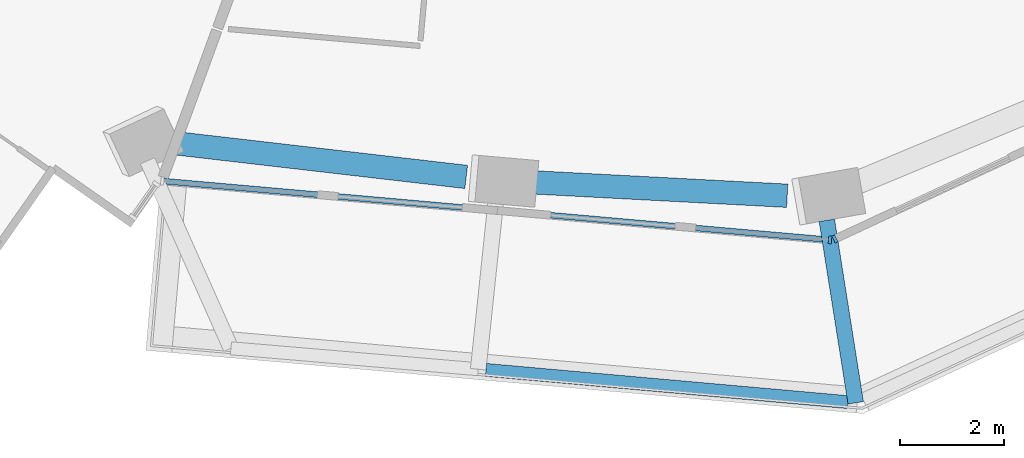
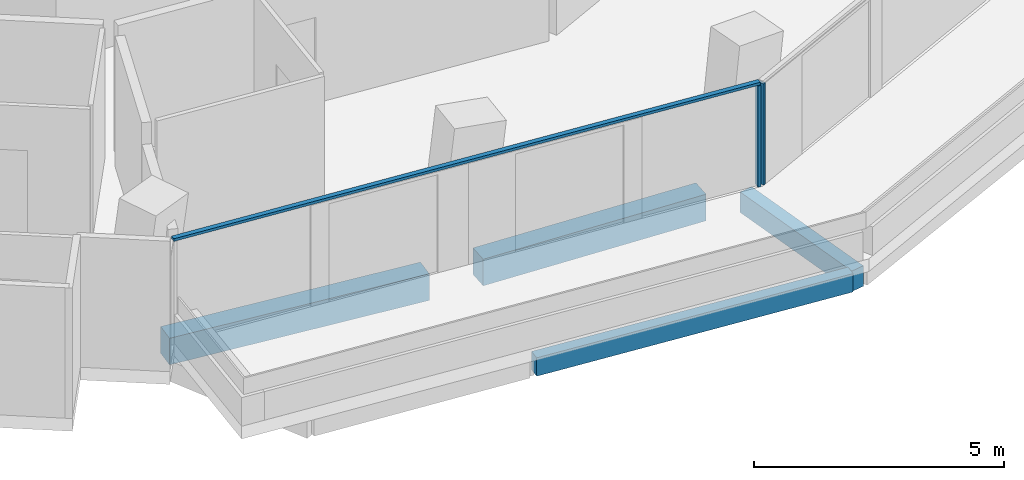
# One storey, part 3 of 23: 4 beams, 3 members, 2 elements without a shape of their own.
"""IFC4 building model written with IfcOpenShell, lengths in metres."""

from ifc_helpers import new_model, si_unit, direction, frame, origin, origin_2d, place, context, subcontext, project, spatial, rectangle, extrude, material, layer, layer_set, material_profile, profile_set, type_object, element, aggregate, save


model = new_model("IFC4")

# Units and contexts
model_context = context("Model", 3, precision=1e-05, world=origin(), true_north=direction((0.0, 1.0)))
body_context = subcontext(model_context, "Body", "Model", "MODEL_VIEW")
ifc_project = project(units=[si_unit("LENGTHUNIT", "METRE"), si_unit("AREAUNIT", "SQUARE_METRE"), si_unit("VOLUMEUNIT", "CUBIC_METRE"), si_unit("PLANEANGLEUNIT", "RADIAN"), si_unit("MASSUNIT", "GRAM", prefix="KILO")], contexts=[model_context])

# Site, building, storey
site_placement = place(None, origin())
site = spatial("IfcSite", under=ifc_project, at=site_placement, CompositionType="ELEMENT")
building_placement = place(site_placement, origin())
building = spatial("IfcBuilding", under=site, at=building_placement, Name="Verdalira Terraces Hotel", CompositionType="ELEMENT")
storey_placement = place(building_placement, frame((0.0, 0.0, 136.5)))
storey = spatial("IfcBuildingStorey", under=building, at=storey_placement, Name="L32", CompositionType="ELEMENT", Elevation=136.5)

# Beams
ifc_material_1 = material(Name="Concrete C40", Category="concrete")
ifc_material_profile_1 = material_profile(ifc_material_1, rectangle(XDim=0.300049, YDim=0.5, at=origin_2d()), Name="RC 300X500")
ifc_profile_set_1 = profile_set([ifc_material_profile_1], Name="Concrete C40")
beam_type_1 = type_object("IfcBeamType", Name="Balcony cantilever beam RC 300X500 C40", PredefinedType="BEAM", material=ifc_profile_set_1)
beam_1_placement = place(storey_placement, frame((4.219482, -24.27832, -0.560059), z_axis=(0.156367923, -0.987698878, 0.0), x_axis=(0.987698878, 0.156367923, 0.0)))
element("IfcBeam", 1, at=beam_1_placement, inside=storey, type_object=beam_type_1, Name="Balcony cantilever beam R25-3", PredefinedType="BEAM", context=body_context, shape_type="SweptSolid", body=[
    extrude(rectangle(XDim=0.300049, YDim=0.5, at=origin_2d()), origin(), (0.0, 0.0, 1.0), 3.556641),
])
ifc_material_2 = material(Name="Concrete C40", Category="concrete")
ifc_material_profile_2 = material_profile(ifc_material_2, rectangle(XDim=0.25, YDim=0.449951, at=origin_2d()), Name="RC 250X450")
ifc_profile_set_2 = profile_set([ifc_material_profile_2], Name="Concrete C40")
beam_type_2 = type_object("IfcBeamType", Name="Balcony edge beam RC 250X450 C40", PredefinedType="BEAM", material=ifc_profile_set_2)
beam_2_placement = place(storey_placement, frame((-2.341064, -27.157715, -0.534912), z_axis=(0.996060379, -0.088677629, 0.0), x_axis=(0.088677629, 0.996060379, 0.0)))
element("IfcBeam", 2, at=beam_2_placement, inside=storey, type_object=beam_type_2, Name="Balcony edge beam R25-2", PredefinedType="BEAM", context=body_context, shape_type="SweptSolid", body=[
    extrude(rectangle(XDim=0.25, YDim=0.449951, at=origin_2d()), origin(), (0.0, 0.0, 1.0), 6.990234),
])

# Curtain wall, member
ifc_material_3 = material(Name="Clear glass", Category="glass")
ifc_layer = layer(ifc_material_3, 0.14990234375)
ifc_layer_set = layer_set([ifc_layer], Name="CW1 curtain wall")
curtain_wall_type = type_object("IfcCurtainWallType", Name="CW1 curtain wall", PredefinedType="NOTDEFINED", material=ifc_layer_set)
curtain_wall_1_placement = place(storey_placement, origin())
curtain_wall_1 = element("IfcCurtainWall", 3, at=curtain_wall_1_placement, inside=storey, type_object=curtain_wall_type, Name="CW1 curtain wall L32 edge 25", PredefinedType="NOTDEFINED")
ifc_material_4 = material(Name="Terracotta frame", Category="masonry")
ifc_material_profile_3 = material_profile(ifc_material_4, rectangle(XDim=0.060059, YDim=0.149902, at=origin_2d()), Name="MU 60x150")
ifc_profile_set_3 = profile_set([ifc_material_profile_3], Name="Terracotta frame")
member_type_1 = type_object("IfcMemberType", Name="CW1 mullion 60x150", PredefinedType="MULLION", material=ifc_profile_set_3)
member_1_placement = place(storey_placement, frame((4.280518, -24.654785, 0.0), z_axis=(0.0, 0.0, 1.0), x_axis=(0.996133609, -0.087851197, 0.0)))
member_1 = element("IfcMember", 4, at=member_1_placement, type_object=member_type_1, Name="CW1 mullion", PredefinedType="MULLION", context=body_context, shape_type="SweptSolid", body=[
    extrude(rectangle(XDim=0.060059, YDim=0.149902, at=origin_2d()), origin(), (0.0, 0.0, 1.0), 2.475098),
])

curtain_wall_2_placement = place(storey_placement, origin())
curtain_wall_2 = element("IfcCurtainWall", 5, at=curtain_wall_2_placement, inside=storey, type_object=curtain_wall_type, Name="CW1 curtain wall L32 edge 26", PredefinedType="NOTDEFINED")
member_2_placement = place(storey_placement, frame((4.375732, -24.637939, 0.0), z_axis=(0.0, 0.0, 1.0), x_axis=(0.906602609, 0.421985437, 0.0)))
member_2 = element("IfcMember", 6, at=member_2_placement, type_object=member_type_1, Name="CW1 mullion", PredefinedType="MULLION", context=body_context, shape_type="SweptSolid", body=[
    extrude(rectangle(XDim=0.060059, YDim=0.149902, at=origin_2d()), origin(), (0.0, 0.0, 1.0), 2.475098),
])
aggregate(curtain_wall_2, [member_2])

# Member
ifc_material_5 = material(Name="Terracotta frame", Category="masonry")
ifc_material_profile_4 = material_profile(ifc_material_5, rectangle(XDim=0.110107, YDim=0.064941, at=origin_2d()), Name="TR 65x110")
ifc_profile_set_4 = profile_set([ifc_material_profile_4], Name="Terracotta frame")
member_type_2 = type_object("IfcMemberType", Name="CW1 transom 65x110", PredefinedType="USERDEFINED", material=ifc_profile_set_4)
member_3_placement = place(storey_placement, frame((-8.599365, -23.518799, 2.507568), z_axis=(0.996134312, -0.08784323, 0.0), x_axis=(0.08784323, 0.996134312, 0.0)))
member_3 = element("IfcMember", 7, at=member_3_placement, type_object=member_type_2, Name="CW1 transom", ObjectType="TRANSOM", PredefinedType="USERDEFINED", context=body_context, shape_type="SweptSolid", body=[
    extrude(rectangle(XDim=0.110107, YDim=0.064941, at=origin_2d()), origin(), (0.0, 0.0, 1.0), 12.959717),
])

aggregate(curtain_wall_1, [member_1, member_3])

# Beams
ifc_material_6 = material(Name="Concrete C50", Category="concrete")
ifc_material_profile_5 = material_profile(ifc_material_6, rectangle(XDim=0.449951, YDim=0.649902, at=origin_2d()), Name="RC 450X650")
ifc_profile_set_5 = profile_set([ifc_material_profile_5], Name="Concrete C50")
beam_type_3 = type_object("IfcBeamType", Name="Spandrel beam RC 450X650 C50", PredefinedType="SPANDREL", material=ifc_profile_set_5)
beam_3_placement = place(storey_placement, frame((-8.355225, -22.790527, -0.63501), z_axis=(0.993353014, -0.115107729, 0.0), x_axis=(0.115107729, 0.993353014, 0.0)))
element("IfcBeam", 8, at=beam_3_placement, inside=storey, type_object=beam_type_3, Name="Spandrel beam B09", PredefinedType="SPANDREL", context=body_context, shape_type="SweptSolid", body=[
    extrude(rectangle(XDim=0.449951, YDim=0.649902, at=origin_2d()), origin(), (0.0, 0.0, 1.0), 5.671387),
])
beam_4_placement = place(storey_placement, frame((-1.548584, -23.541504, -0.63501), z_axis=(0.998610284, -0.052701996, 0.0), x_axis=(0.052701996, 0.998610284, 0.0)))
element("IfcBeam", 9, at=beam_4_placement, inside=storey, type_object=beam_type_3, Name="Spandrel beam B10", PredefinedType="SPANDREL", context=body_context, shape_type="SweptSolid", body=[
    extrude(rectangle(XDim=0.449951, YDim=0.649902, at=origin_2d()), origin(), (0.0, 0.0, 1.0), 5.012451),
])

save(model, "model.ifc")
